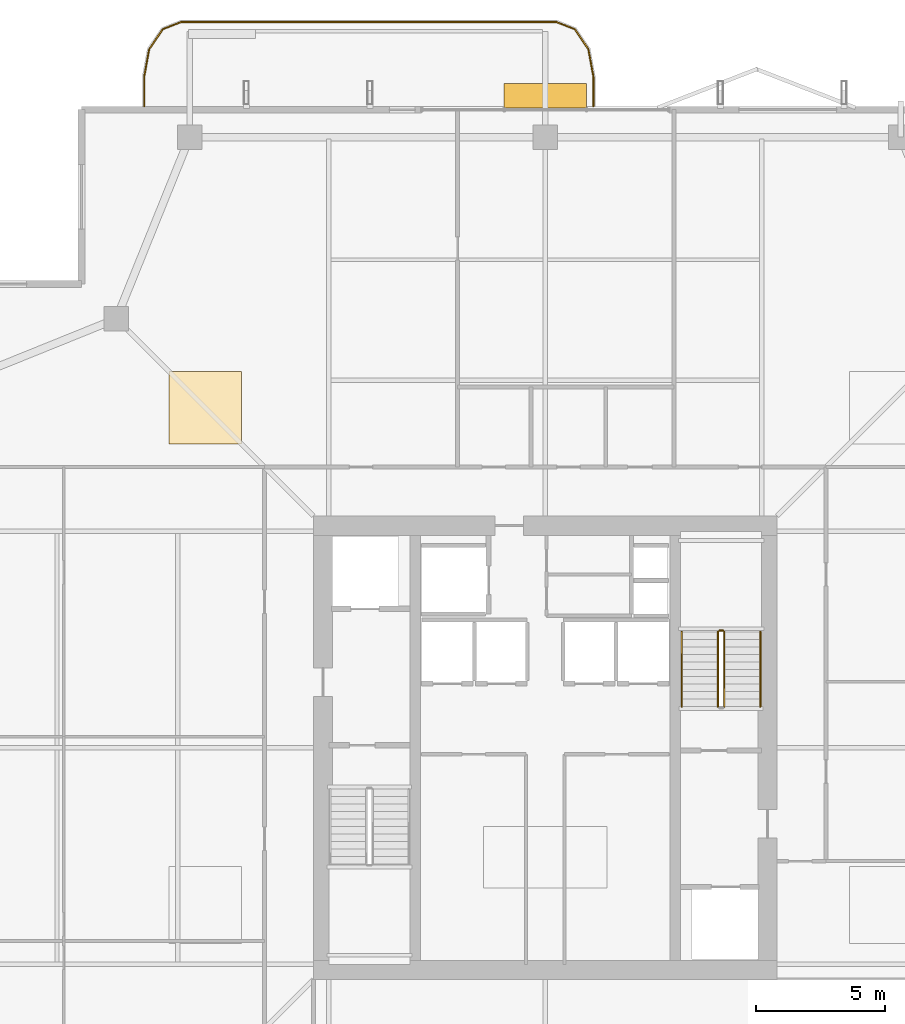
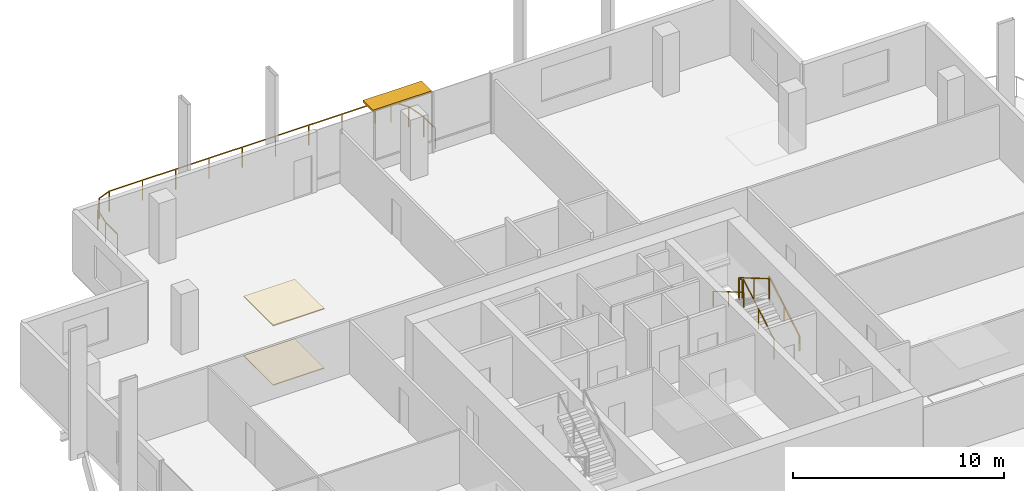
# One storey, part 24 of 25: 6 railings, 2 coverings, 1 shading device.
"""IFC4 building model written with IfcOpenShell, lengths in metres."""

import ifcopenshell
import ifcopenshell.guid

model = None  # the IFC model being written
_history = None  # IfcOwnerHistory: only IFC2X3 demands one
_inside = {}  # id of a spatial element -> (the spatial element, [elements in it])
_under = {}  # id of a project, library or spatial element -> (it, [spatial elements below it])
_declared = {}  # id of a project -> (the project, [libraries it declares])
_typed = {}  # id of a type object -> (the type object, [elements of that type])
_made_of = {}  # id of a material, layer set ... -> (it, [elements and type objects made of it])


def new_model(schema):
    """Start an empty IFC model of exactly this schema.

    Asked for "IFC4X3", IfcOpenShell would pick the latest addendum, in which some entities
    have other attributes; the version numbers below select the first issue.
    IFC2X3 requires an IfcOwnerHistory on every rooted entity: one is made here for all.
    """
    global model, _history
    if schema == "IFC4X3":
        model = ifcopenshell.file(schema_version=(4, 3, 0, 0))
    else:
        model = ifcopenshell.file(schema=schema)
    _inside.clear()
    _under.clear()
    _declared.clear()
    _typed.clear()
    _made_of.clear()
    _history = None
    if model.schema == "IFC2X3":
        org = make("IfcOrganization", Name="unknown")
        user = make(
            "IfcPersonAndOrganization",
            ThePerson=make("IfcPerson", FamilyName="unknown"),
            TheOrganization=org,
        )
        app = make(
            "IfcApplication",
            ApplicationDeveloper=org,
            Version="unknown",
            ApplicationFullName="unknown",
            ApplicationIdentifier="unknown",
        )
        _history = make(
            "IfcOwnerHistory",
            OwningUser=user,
            OwningApplication=app,
            ChangeAction="ADDED",
            CreationDate=0,
        )
    return model


def make(cls, **values):
    """One entity of the class cls with the attributes given. An attribute that is None is left unset."""
    return model.create_entity(
        cls, **{name: value for name, value in values.items() if value is not None}
    )


def rooted(cls, **values):
    """An entity with a GlobalId (a new one), such as an element, a storey or a relation."""
    return make(cls, GlobalId=ifcopenshell.guid.new(), OwnerHistory=_history, **values)


def si_unit(unit_type, name, prefix=None):
    """IfcSIUnit, for example si_unit("LENGTHUNIT", "METRE", prefix="MILLI")."""
    return make("IfcSIUnit", UnitType=unit_type, Prefix=prefix, Name=name)


def assignment(units):
    """IfcUnitAssignment: the units of a project."""
    return None if units is None else make("IfcUnitAssignment", Units=units)


def point(xyz):
    """IfcCartesianPoint."""
    return None if xyz is None else make("IfcCartesianPoint", Coordinates=xyz)


def direction(xyz):
    """IfcDirection."""
    return None if xyz is None else make("IfcDirection", DirectionRatios=xyz)


def frame(location, z_axis=None, x_axis=None):
    """IfcAxis2Placement3D, a coordinate frame: its origin and axes. An axis left out is left unset."""
    return make(
        "IfcAxis2Placement3D",
        Location=point(location),
        Axis=direction(z_axis),
        RefDirection=direction(x_axis),
    )


def frame_2d(location, x_axis=None):
    """IfcAxis2Placement2D, a coordinate frame in the plane: its origin and x axis."""
    return make(
        "IfcAxis2Placement2D", Location=point(location), RefDirection=direction(x_axis)
    )


def origin():
    """The frame at (0, 0, 0) with its axes left unset."""
    return frame((0.0, 0.0, 0.0))


def origin_2d():
    """The frame at (0, 0) in the plane with its x axis left unset."""
    return frame_2d((0.0, 0.0))


def place(relative_to, where):
    """IfcLocalPlacement: puts the frame where relative to a parent placement (None: the world)."""
    return make(
        "IfcLocalPlacement", PlacementRelTo=relative_to, RelativePlacement=where
    )


def context(
    kind, dimensions, precision=None, world=None, true_north=None, identifier=None
):
    """IfcGeometricRepresentationContext, for example the 3D "Model" context."""
    return make(
        "IfcGeometricRepresentationContext",
        ContextIdentifier=identifier,
        ContextType=kind,
        CoordinateSpaceDimension=dimensions,
        Precision=precision,
        WorldCoordinateSystem=world,
        TrueNorth=true_north,
    )


def subcontext(parent, identifier, kind, view, scale=None):
    """IfcGeometricRepresentationSubContext, for example "Body" below "Model"."""
    return make(
        "IfcGeometricRepresentationSubContext",
        ContextIdentifier=identifier,
        ContextType=kind,
        ParentContext=parent,
        TargetScale=scale,
        TargetView=view,
    )


def project(units=None, contexts=None):
    """IfcProject with its units and contexts."""
    return rooted(
        "IfcProject",
        Name="project",
        RepresentationContexts=contexts,
        UnitsInContext=assignment(units),
    )


def spatial(cls, under=None, at=None, **own):
    """A site, building, storey or space (cls), placed at a placement, below another one or the project."""
    s = rooted(cls, ObjectPlacement=at, **own)
    if under is not None:
        _under.setdefault(under.id(), (under, []))[1].append(s)
    return s


def polyline(points):
    """IfcPolyline through the points."""
    return make("IfcPolyline", Points=[point(p) for p in points])


def profile(cls, at=None, kind="AREA", **sizes):
    """A parametric profile (cls). Its sizes go by their IFC names, for example OverallWidth=200.0."""
    return make(cls, ProfileType=kind, Position=at, **sizes)


def rectangle(**sizes):
    """IfcRectangleProfileDef."""
    return profile("IfcRectangleProfileDef", **sizes)


def outline(outer, holes=None, kind="AREA"):
    """IfcArbitraryClosedProfileDef: a profile drawn as a closed curve; with holes, ...WithVoids."""
    if holes is None:
        return make("IfcArbitraryClosedProfileDef", ProfileType=kind, OuterCurve=outer)
    return make(
        "IfcArbitraryProfileDefWithVoids",
        ProfileType=kind,
        OuterCurve=outer,
        InnerCurves=holes,
    )


def extrude(swept, where, along, depth):
    """IfcExtrudedAreaSolid: the profile swept, set in the frame where, extruded along a direction by depth."""
    return make(
        "IfcExtrudedAreaSolid",
        SweptArea=swept,
        Position=where,
        ExtrudedDirection=direction(along),
        Depth=depth,
    )


def shape(context_of_items, identifier, shape_type, items):
    """IfcShapeRepresentation: the items that make up one representation, for example the "Body"."""
    return make(
        "IfcShapeRepresentation",
        ContextOfItems=context_of_items,
        RepresentationIdentifier=identifier,
        RepresentationType=shape_type,
        Items=items,
    )


def material(Name=None, Category=None):
    """IfcMaterial."""
    return make("IfcMaterial", Name=Name, Category=Category)


def layer(
    of_material, thickness, ventilated=None, Name=None, Category=None, Priority=None
):
    """IfcMaterialLayer: one layer of a wall or slab, of a material (None: an air gap)."""
    return make(
        "IfcMaterialLayer",
        Material=of_material,
        LayerThickness=thickness,
        IsVentilated=ventilated,
        Name=Name,
        Category=Category,
        Priority=Priority,
    )


def layer_set(layers, Name=None):
    """IfcMaterialLayerSet."""
    return make("IfcMaterialLayerSet", MaterialLayers=layers, LayerSetName=Name)


def made_of(thing, what):
    """Note that an element or type object is made of a material, layer set ...; save() writes the relation."""
    if what is not None:
        _made_of.setdefault(what.id(), (what, []))[1].append(thing)
    return thing


def type_object(cls, material=None, **own):
    """A type object (cls), such as IfcWallType, which elements share."""
    return made_of(rooted(cls, **own), material)


def element(
    cls,
    number,
    at=None,
    inside=None,
    cuts=None,
    type_object=None,
    material=None,
    context=None,
    identifier="Body",
    shape_type=None,
    held_by="IfcProductDefinitionShape",
    body=None,
    shapes=None,
    **own,
):
    """One element of the class cls, such as IfcWall. Its Tag is "e" and its number.

    at: its placement. inside: the storey or other place that contains it. cuts: it is an
    opening in that element (IfcRelVoidsElement). A single representation is given by context,
    identifier, shape_type and body (its items); several are given by shapes. held_by: the class
    of the entity that holds the representations. save() writes the other relations.
    """
    e = rooted(cls, Tag="e%d" % number, ObjectPlacement=at, **own)
    if body is not None:
        shapes = [shape(context, identifier, shape_type, body)]
    if shapes is not None:
        e.Representation = make(held_by, Representations=shapes)
    if inside is not None:
        _inside.setdefault(inside.id(), (inside, []))[1].append(e)
    if cuts is not None:
        rooted(
            "IfcRelVoidsElement", RelatingBuildingElement=cuts, RelatedOpeningElement=e
        )
    if type_object is not None:
        _typed.setdefault(type_object.id(), (type_object, []))[1].append(e)
    return made_of(e, material)


def aggregate(whole, parts):
    """IfcRelAggregates: a whole, such as a stair, and the parts it consists of."""
    return rooted("IfcRelAggregates", RelatingObject=whole, RelatedObjects=parts)


def save(model, path):
    """Write the relations noted so far, then the file.

    IfcRelAggregates (storeys below a building ...), IfcRelContainedInSpatialStructure (elements
    in a storey), IfcRelDefinesByType, IfcRelAssociatesMaterial and IfcRelDeclares: one each for
    every whole, place, type object, material and project.
    """
    for whole, parts in _under.values():
        aggregate(whole, parts)
    for where, things in _inside.values():
        rooted(
            "IfcRelContainedInSpatialStructure",
            RelatedElements=things,
            RelatingStructure=where,
        )
    for kind, things in _typed.values():
        rooted("IfcRelDefinesByType", RelatedObjects=things, RelatingType=kind)
    for what, things in _made_of.values():
        rooted("IfcRelAssociatesMaterial", RelatedObjects=things, RelatingMaterial=what)
    for by, libraries in _declared.values():
        rooted("IfcRelDeclares", RelatingContext=by, RelatedDefinitions=libraries)
    model.write(path)


model = new_model("IFC4")

# Units and contexts
model_context = context("Model", 3, precision=1e-05, world=origin(), true_north=direction((0.0, 1.0)))
body_context = subcontext(model_context, "Body", "Model", "MODEL_VIEW")
ifc_project = project(units=[si_unit("LENGTHUNIT", "METRE"), si_unit("AREAUNIT", "SQUARE_METRE"), si_unit("VOLUMEUNIT", "CUBIC_METRE"), si_unit("PLANEANGLEUNIT", "RADIAN"), si_unit("MASSUNIT", "GRAM", prefix="KILO")], contexts=[model_context])

# Site, building, storey
site_placement = place(None, origin())
site = spatial("IfcSite", under=ifc_project, at=site_placement, CompositionType="ELEMENT")
building_placement = place(site_placement, origin())
building = spatial("IfcBuilding", under=site, at=building_placement, Name="Belovzor Exchange Tower", CompositionType="ELEMENT")
storey_placement = place(building_placement, frame((0.0, 0.0, 257.85009765625)))
storey = spatial("IfcBuildingStorey", under=building, at=storey_placement, Name="L64", CompositionType="ELEMENT", Elevation=257.85009765625)

# Railings
ifc_material_1 = material(Name="Stainless Steel Grade 304", Category="steel")
railing_type_1 = type_object("IfcRailingType", Name="Brushed Stainless Steel Stair Handrail 900", PredefinedType="HANDRAIL", material=ifc_material_1)
railing_1_placement = place(storey_placement, frame((37.14990234375, 30.39990234375, 0.17041015625)))
element("IfcRailing", 1, at=railing_1_placement, inside=storey, type_object=railing_type_1, Name="L64 ST-2 stair handrail 1", PredefinedType="HANDRAIL", context=body_context, shape_type="SweptSolid", body=[
    extrude(rectangle(XDim=0.048095703125, YDim=0.048095703125, at=origin_2d()), frame((0.0, 0.0, 0.8759765625), z_axis=(0.0, 0.862113265706, 0.506715617574), x_axis=(-1.0, 0.0, 0.0)), (0.0, 0.0, 1.0), 3.364013671875),
    extrude(rectangle(XDim=0.0419921875, YDim=0.0419921875, at=origin_2d()), origin(), (0.0, 0.0, 1.0), 0.851806640625),
    extrude(rectangle(XDim=0.0419921875, YDim=0.0419921875, at=origin_2d()), frame((0.0, 1.4501953125, 0.852294921875)), (0.0, 0.0, 1.0), 0.851806640625),
    extrude(rectangle(XDim=0.0419921875, YDim=0.0419921875, at=origin_2d()), frame((0.0, 2.900146484375, 1.70458984375)), (0.0, 0.0, 1.0), 0.851806640625),
])
railing_2_placement = place(storey_placement, frame((34.10009765625, 33.300048828125, 2.04541015625)))
element("IfcRailing", 2, at=railing_2_placement, inside=storey, type_object=railing_type_1, Name="L64 ST-2 stair handrail 2", PredefinedType="HANDRAIL", context=body_context, shape_type="SweptSolid", body=[
    extrude(rectangle(XDim=0.048095703125, YDim=0.048095703125, at=origin_2d()), frame((0.0, 0.0, 0.8759765625), z_axis=(0.0, -0.862113265706, 0.506715617574), x_axis=(1.0, 0.0, 0.0)), (0.0, 0.0, 1.0), 3.364013671875),
    extrude(rectangle(XDim=0.0419921875, YDim=0.0419921875, at=origin_2d()), origin(), (0.0, 0.0, 1.0), 0.851806640625),
    extrude(rectangle(XDim=0.0419921875, YDim=0.0419921875, at=origin_2d()), frame((0.0, -1.4501953125, 0.852294921875)), (0.0, 0.0, 1.0), 0.851806640625),
    extrude(rectangle(XDim=0.0419921875, YDim=0.0419921875, at=origin_2d()), frame((0.0, -2.900146484375, 1.70458984375)), (0.0, 0.0, 1.0), 0.851806640625),
])
ifc_material_2 = material(Name="Stainless Steel and Laminated Safety Glass", Category="steel")
railing_type_2 = type_object("IfcRailingType", Name="Laminated Glass & Stainless Steel Balcony Balustrade 1200", PredefinedType="BALUSTRADE", material=ifc_material_2)
railing_3_placement = place(storey_placement, frame((30.669921875, 53.7099609375, 0.0)))
element("IfcRailing", 3, at=railing_3_placement, inside=storey, type_object=railing_type_2, Name="GR-1 Balcony Balustrade L64 North", PredefinedType="BALUSTRADE", context=body_context, shape_type="SweptSolid", body=[
    extrude(rectangle(XDim=0.048095703125, YDim=0.048095703125, at=origin_2d()), frame((0.0, 0.0, 1.17578125), z_axis=(0.0, 1.0, 0.0), x_axis=(-1.0, 0.0, 0.0)), (0.0, 0.0, 1.0), 1.133056640625),
    extrude(rectangle(XDim=0.048095703125, YDim=0.048095703125, at=origin_2d()), frame((0.0, 1.133056640625, 1.17578125), z_axis=(-0.180122719713, 0.983644145941, 0.0), x_axis=(-0.983644145941, -0.180122719713, 0.0)), (0.0, 0.0, 1.0), 1.09375),
    extrude(rectangle(XDim=0.048095703125, YDim=0.048095703125, at=origin_2d()), frame((-0.197021484375, 2.208984375, 1.17578125), z_axis=(-0.562768145367, 0.826614792125, 0.0), x_axis=(-0.826614792125, -0.562768145367, 0.0)), (0.0, 0.0, 1.0), 0.9326171875),
    extrude(rectangle(XDim=0.048095703125, YDim=0.048095703125, at=origin_2d()), frame((-0.721923828125, 2.97998046875, 1.17578125), z_axis=(-0.930766990125, 0.365612923861, 0.0), x_axis=(-0.365612923861, -0.930766990125, 0.0)), (0.0, 0.0, 1.0), 0.765869140625),
    extrude(rectangle(XDim=0.048095703125, YDim=0.048095703125, at=origin_2d()), frame((-1.434814453125, 3.260009765625, 1.17578125), z_axis=(-1.0, 0.0, 0.0), x_axis=(0.0, -1.0, 0.0)), (0.0, 0.0, 1.0), 14.570068359375),
    extrude(rectangle(XDim=0.048095703125, YDim=0.048095703125, at=origin_2d()), frame((-16.0048828125, 3.260009765625, 1.17578125), z_axis=(-0.930809580156, -0.365504480807, 0.0), x_axis=(0.365504480807, -0.930809580156, 0.0)), (0.0, 0.0, 1.0), 0.76611328125),
    extrude(rectangle(XDim=0.048095703125, YDim=0.048095703125, at=origin_2d()), frame((-16.718017578125, 2.97998046875, 1.17578125), z_axis=(-0.562768145367, -0.826614792125, 0.0), x_axis=(0.826614792125, -0.562768145367, 0.0)), (0.0, 0.0, 1.0), 0.9326171875),
    extrude(rectangle(XDim=0.048095703125, YDim=0.048095703125, at=origin_2d()), frame((-17.242919921875, 2.208984375, 1.17578125), z_axis=(-0.180122719713, -0.983644145941, 0.0), x_axis=(0.983644145941, -0.180122719713, 0.0)), (0.0, 0.0, 1.0), 1.09375),
    extrude(rectangle(XDim=0.048095703125, YDim=0.048095703125, at=origin_2d()), frame((-17.43994140625, 1.133056640625, 1.17578125), z_axis=(0.0, -1.0, 0.0), x_axis=(1.0, 0.0, 0.0)), (0.0, 0.0, 1.0), 1.133056640625),
    extrude(rectangle(XDim=0.0419921875, YDim=0.0419921875, at=origin_2d()), origin(), (0.0, 0.0, 1.0), 1.15185546875),
    extrude(rectangle(XDim=0.0419921875, YDim=0.0419921875, at=origin_2d()), frame((0.0, 1.133056640625, 0.0)), (0.0, 0.0, 1.0), 1.15185546875),
    extrude(rectangle(XDim=0.0419921875, YDim=0.0419921875, at=origin_2d()), frame((-0.197021484375, 2.208984375, 0.0)), (0.0, 0.0, 1.0), 1.15185546875),
    extrude(rectangle(XDim=0.0419921875, YDim=0.0419921875, at=origin_2d()), frame((-0.721923828125, 2.97998046875, 0.0)), (0.0, 0.0, 1.0), 1.15185546875),
    extrude(rectangle(XDim=0.0419921875, YDim=0.0419921875, at=origin_2d()), frame((-1.434814453125, 3.260009765625, 0.0)), (0.0, 0.0, 1.0), 1.15185546875),
    extrude(rectangle(XDim=0.0419921875, YDim=0.0419921875, at=origin_2d()), frame((-3.256103515625, 3.260009765625, 0.0)), (0.0, 0.0, 1.0), 1.15185546875),
    extrude(rectangle(XDim=0.0419921875, YDim=0.0419921875, at=origin_2d()), frame((-5.077392578125, 3.260009765625, 0.0)), (0.0, 0.0, 1.0), 1.15185546875),
    extrude(rectangle(XDim=0.0419921875, YDim=0.0419921875, at=origin_2d()), frame((-6.898681640625, 3.260009765625, 0.0)), (0.0, 0.0, 1.0), 1.15185546875),
    extrude(rectangle(XDim=0.0419921875, YDim=0.0419921875, at=origin_2d()), frame((-8.7197265625, 3.260009765625, 0.0)), (0.0, 0.0, 1.0), 1.15185546875),
    extrude(rectangle(XDim=0.0419921875, YDim=0.0419921875, at=origin_2d()), frame((-10.541015625, 3.260009765625, 0.0)), (0.0, 0.0, 1.0), 1.15185546875),
    extrude(rectangle(XDim=0.0419921875, YDim=0.0419921875, at=origin_2d()), frame((-12.3623046875, 3.260009765625, 0.0)), (0.0, 0.0, 1.0), 1.15185546875),
    extrude(rectangle(XDim=0.0419921875, YDim=0.0419921875, at=origin_2d()), frame((-14.18359375, 3.260009765625, 0.0)), (0.0, 0.0, 1.0), 1.15185546875),
    extrude(rectangle(XDim=0.0419921875, YDim=0.0419921875, at=origin_2d()), frame((-16.0048828125, 3.260009765625, 0.0)), (0.0, 0.0, 1.0), 1.15185546875),
    extrude(rectangle(XDim=0.0419921875, YDim=0.0419921875, at=origin_2d()), frame((-16.718017578125, 2.97998046875, 0.0)), (0.0, 0.0, 1.0), 1.15185546875),
    extrude(rectangle(XDim=0.0419921875, YDim=0.0419921875, at=origin_2d()), frame((-17.242919921875, 2.208984375, 0.0)), (0.0, 0.0, 1.0), 1.15185546875),
    extrude(rectangle(XDim=0.0419921875, YDim=0.0419921875, at=origin_2d()), frame((-17.43994140625, 1.133056640625, 0.0)), (0.0, 0.0, 1.0), 1.15185546875),
    extrude(rectangle(XDim=0.0419921875, YDim=0.0419921875, at=origin_2d()), frame((-17.43994140625, 0.0, 0.0)), (0.0, 0.0, 1.0), 1.15185546875),
])
ifc_material_3 = material(Name="Steel S355", Category="steel")
railing_type_3 = type_object("IfcRailingType", Name="Painted Steel Stairwell Guardrail 1200", PredefinedType="GUARDRAIL", material=ifc_material_3)
railing_4_placement = place(storey_placement, frame((35.75, 30.39990234375, 0.17041015625)))
element("IfcRailing", 4, at=railing_4_placement, inside=storey, type_object=railing_type_3, Name="L64 ST-2 stair guard 1", PredefinedType="GUARDRAIL", context=body_context, shape_type="SweptSolid", body=[
    extrude(rectangle(XDim=0.048095703125, YDim=0.048095703125, at=origin_2d()), frame((0.0, 0.0, 1.17578125), z_axis=(0.0, 0.862113265706, 0.506715617574), x_axis=(-1.0, 0.0, 0.0)), (0.0, 0.0, 1.0), 3.364013671875),
    extrude(rectangle(XDim=0.0419921875, YDim=0.0419921875, at=origin_2d()), origin(), (0.0, 0.0, 1.0), 1.15185546875),
    extrude(rectangle(XDim=0.0419921875, YDim=0.0419921875, at=origin_2d()), frame((0.0, 1.4501953125, 0.852294921875)), (0.0, 0.0, 1.0), 1.15185546875),
    extrude(rectangle(XDim=0.0419921875, YDim=0.0419921875, at=origin_2d()), frame((0.0, 2.900146484375, 1.70458984375)), (0.0, 0.0, 1.0), 1.15185546875),
])
railing_5_placement = place(storey_placement, frame((35.699951171875, 33.35009765625, 1.875)))
element("IfcRailing", 5, at=railing_5_placement, inside=storey, type_object=railing_type_3, Name="L64 ST-2 stair guard 2", PredefinedType="GUARDRAIL", context=body_context, shape_type="SweptSolid", body=[
    extrude(rectangle(XDim=0.048095703125, YDim=0.048095703125, at=origin_2d()), frame((0.0, 0.0, 1.17578125), z_axis=(-1.0, 0.0, 0.0), x_axis=(0.0, -1.0, 0.0)), (0.0, 0.0, 1.0), 0.14990234375),
    extrude(rectangle(XDim=0.0419921875, YDim=0.0419921875, at=origin_2d()), origin(), (0.0, 0.0, 1.0), 1.15185546875),
    extrude(rectangle(XDim=0.0419921875, YDim=0.0419921875, at=origin_2d()), frame((-0.14990234375, 0.0, 0.0)), (0.0, 0.0, 1.0), 1.15185546875),
])
railing_6_placement = place(storey_placement, frame((35.5, 33.300048828125, 2.04541015625)))
element("IfcRailing", 6, at=railing_6_placement, inside=storey, type_object=railing_type_3, Name="L64 ST-2 stair guard 3", PredefinedType="GUARDRAIL", context=body_context, shape_type="SweptSolid", body=[
    extrude(rectangle(XDim=0.048095703125, YDim=0.048095703125, at=origin_2d()), frame((0.0, 0.0, 1.17578125), z_axis=(0.0, -0.862113265706, 0.506715617574), x_axis=(1.0, 0.0, 0.0)), (0.0, 0.0, 1.0), 3.364013671875),
    extrude(rectangle(XDim=0.0419921875, YDim=0.0419921875, at=origin_2d()), origin(), (0.0, 0.0, 1.0), 1.15185546875),
    extrude(rectangle(XDim=0.0419921875, YDim=0.0419921875, at=origin_2d()), frame((0.0, -1.4501953125, 0.852294921875)), (0.0, 0.0, 1.0), 1.15185546875),
    extrude(rectangle(XDim=0.0419921875, YDim=0.0419921875, at=origin_2d()), frame((0.0, -2.900146484375, 1.70458984375)), (0.0, 0.0, 1.0), 1.15185546875),
])

# Coverings
ifc_material_4 = material(Name="Perforated Powder-Coated Aluminium", Category="aluminium")
ifc_layer_1 = layer(ifc_material_4, 0.06005859375)
ifc_layer_set_1 = layer_set([ifc_layer_1], Name="Perforated Powder-Coated Aluminium")
covering_type_1 = type_object("IfcCoveringType", Name="Perforated Acoustic Metal Tile Suspended Ceiling 60", PredefinedType="CEILING", material=ifc_layer_set_1)
covering_1_placement = place(storey_placement, frame((0.0, 0.0, 3.43994140625)))
element("IfcCovering", 7, at=covering_1_placement, inside=storey, type_object=covering_type_1, Name="CLG-AC60 Suspended Ceiling CLG-L64-Z2", PredefinedType="CEILING", context=body_context, shape_type="SweptSolid", body=[
    extrude(outline(polyline([(14.199951171875, 40.60009765625), (17.0, 40.60009765625), (17.0, 43.39990234375), (14.199951171875, 43.39990234375), (14.199951171875, 40.60009765625)])), origin(), (0.0, 0.0, 1.0), 0.06005859375),
])
ifc_material_5 = material(Name="Polished Natural Granite Tile", Category="masonry")
ifc_layer_2 = layer(ifc_material_5, 0.050048828125)
ifc_layer_set_2 = layer_set([ifc_layer_2], Name="Polished Natural Granite Tile")
covering_type_2 = type_object("IfcCoveringType", Name="Polished Karelian Granite & Raised Access Floor Finish 50", PredefinedType="FLOORING", material=ifc_layer_set_2)
covering_2_placement = place(storey_placement, origin())
element("IfcCovering", 8, at=covering_2_placement, inside=storey, type_object=covering_type_2, Name="FLR-GR50 Floor Finish FLR-L64-Z2", PredefinedType="FLOORING", context=body_context, shape_type="SweptSolid", body=[
    extrude(outline(polyline([(14.199951171875, 40.60009765625), (17.0, 40.60009765625), (17.0, 43.39990234375), (14.199951171875, 43.39990234375), (14.199951171875, 40.60009765625)])), origin(), (0.0, 0.0, 1.0), 0.0498046875),
])

# Shading device
ifc_material_6 = material(Name="Extruded Architectural Terracotta", Category="masonry")
ifc_layer_3 = layer(ifc_material_6, 0.1201171875)
ifc_layer_set_3 = layer_set([ifc_layer_3], Name="Extruded Architectural Terracotta")
shading_device_type = type_object("IfcShadingDeviceType", Name="Streamline Terracotta Horizontal Sunshade Hood 950", PredefinedType="AWNING", material=ifc_layer_set_3)
shading_device_placement = place(storey_placement, frame((28.800048828125, 54.114990234375, 3.3798828125), z_axis=(0.0, 0.0, 1.0), x_axis=(1.0, 0.0, 0.0)))
element("IfcShadingDevice", 9, at=shading_device_placement, inside=storey, type_object=shading_device_type, Name="SHD-TC095 Terracotta Sunshade L64 N", PredefinedType="AWNING", context=body_context, shape_type="SweptSolid", body=[
    extrude(rectangle(XDim=3.199951171875, YDim=0.949951171875, at=origin_2d()), origin(), (0.0, 0.0, 1.0), 0.1201171875),
])

save(model, "model.ifc")
